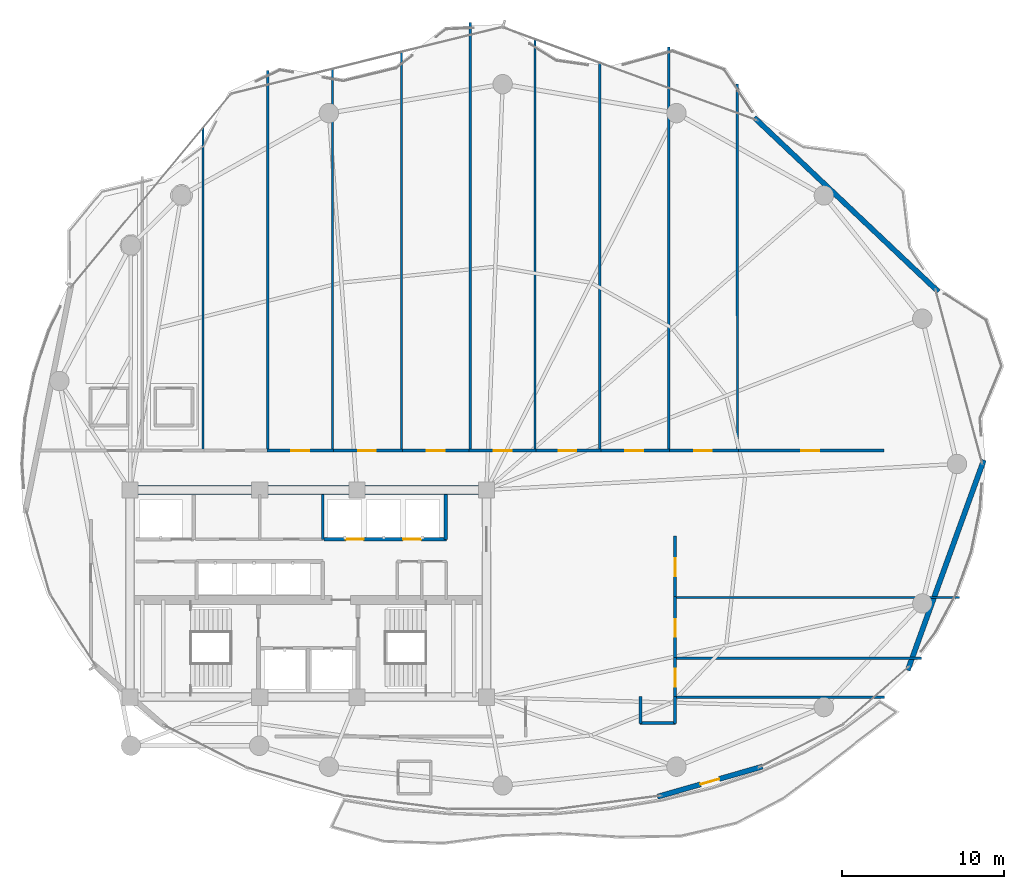
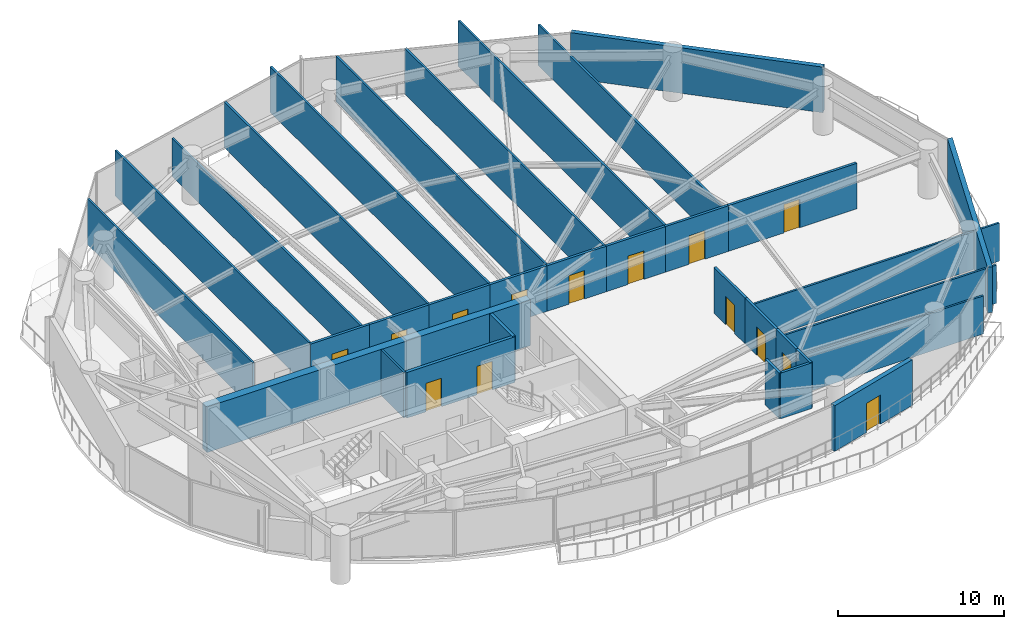
# One storey, part 24 of 28: 33 walls, 14 doors, 14 openings.
"""IFC4 building model written with IfcOpenShell, lengths in metres."""

from ifc_helpers import new_model, si_unit, direction, frame, frame_2d, origin, place, context, subcontext, project, spatial, rectangle, extrude, material, layer, layer_set, type_object, element, fill, save


model = new_model("IFC4")

# Units and contexts
model_context = context("Model", 3, precision=1e-05, world=origin(), true_north=direction((0.0, 1.0)))
body_context = subcontext(model_context, "Body", "Model", "MODEL_VIEW")
ifc_project = project(units=[si_unit("LENGTHUNIT", "METRE"), si_unit("AREAUNIT", "SQUARE_METRE"), si_unit("VOLUMEUNIT", "CUBIC_METRE"), si_unit("PLANEANGLEUNIT", "RADIAN"), si_unit("MASSUNIT", "GRAM", prefix="KILO")], contexts=[model_context])

# Site, building, storey
site_placement = place(None, origin())
site = spatial("IfcSite", under=ifc_project, at=site_placement, CompositionType="ELEMENT")
building_placement = place(site_placement, origin())
building = spatial("IfcBuilding", under=site, at=building_placement, Name="Kazevale Care Tower and Concert Hall", CompositionType="ELEMENT")
storey_placement = place(building_placement, frame((0.0, 0.0, 138.60009765625)))
storey = spatial("IfcBuildingStorey", under=building, at=storey_placement, Name="L36", CompositionType="ELEMENT", Elevation=138.60009765625)

# Walls
ifc_material_1 = material(Name="Acoustic Gypsum on Steel Stud", Category="steel")
ifc_layer_1 = layer(ifc_material_1, 0.139892578125)
ifc_layer_set_1 = layer_set([ifc_layer_1], Name="Acoustic Gypsum on Steel Stud")
wall_type_1 = type_object("IfcWallType", Name="Acoustic Care & Suite Partition 140", PredefinedType="PARTITIONING", material=ifc_layer_set_1)
wall_1_placement = place(storey_placement, frame((33.89990234375, 33.35009765625, 0.0), z_axis=(0.0, 0.0, 1.0), x_axis=(0.0, 1.0, 0.0)))
element("IfcWall", 1, at=wall_1_placement, inside=storey, type_object=wall_type_1, Name="wall:L36:c_rpl_e", PredefinedType="PARTITIONING", context=body_context, shape_type="SweptSolid", body=[
    extrude(rectangle(XDim=2.75, YDim=0.139892578125, at=frame_2d((1.375, 0.0))), origin(), (0.0, 0.0, 1.0), 3.35986328125),
])
wall_2_placement = place(storey_placement, frame((26.5, 58.74169921875, 0.0), z_axis=(0.0, 0.0, 1.0), x_axis=(0.0, -1.0, 0.0)))
element("IfcWall", 2, at=wall_2_placement, inside=storey, type_object=wall_type_1, Name="wall:L36:auto_022", PredefinedType="PARTITIONING", context=body_context, shape_type="SweptSolid", body=[
    extrude(rectangle(XDim=19.94677734375, YDim=0.139892578125, at=frame_2d((9.973388671875, 0.0))), origin(), (0.0, 0.0, 1.0), 3.35986328125),
])
wall_3_placement = place(storey_placement, frame((30.5, 62.300048828125, 0.0), z_axis=(0.0, 0.0, 1.0), x_axis=(0.0, -1.0, 0.0)))
element("IfcWall", 3, at=wall_3_placement, inside=storey, type_object=wall_type_1, Name="wall:L36:auto_023", PredefinedType="PARTITIONING", context=body_context, shape_type="SweptSolid", body=[
    extrude(rectangle(XDim=23.505126953125, YDim=0.139892578125, at=frame_2d((11.75244140625, 0.0))), origin(), (0.0, 0.0, 1.0), 3.35986328125),
])
wall_4_placement = place(storey_placement, frame((34.5, 62.38330078125, 0.0), z_axis=(0.0, 0.0, 1.0), x_axis=(0.0, -1.0, 0.0)))
element("IfcWall", 4, at=wall_4_placement, inside=storey, type_object=wall_type_1, Name="wall:L36:auto_024", PredefinedType="PARTITIONING", context=body_context, shape_type="SweptSolid", body=[
    extrude(rectangle(XDim=23.58837890625, YDim=0.139892578125, at=frame_2d((11.794189453125, 0.0))), origin(), (0.0, 0.0, 1.0), 2.805908203125),
])
wall_5_placement = place(storey_placement, frame((38.75, 63.429931640625, 0.0), z_axis=(0.0, 0.0, 1.0), x_axis=(0.0, -1.0, 0.0)))
element("IfcWall", 5, at=wall_5_placement, inside=storey, type_object=wall_type_1, Name="wall:L36:auto_025", PredefinedType="PARTITIONING", context=body_context, shape_type="SweptSolid", body=[
    extrude(rectangle(XDim=24.635009765625, YDim=0.139892578125, at=frame_2d((12.3173828125, 0.0))), origin(), (0.0, 0.0, 1.0), 3.35986328125),
])
wall_6_placement = place(storey_placement, frame((43.0, 65.25390625, 0.0), z_axis=(0.0, 0.0, 1.0), x_axis=(0.0, -1.0, 0.0)))
element("IfcWall", 6, at=wall_6_placement, inside=storey, type_object=wall_type_1, Name="wall:L36:auto_026", PredefinedType="PARTITIONING", context=body_context, shape_type="SweptSolid", body=[
    extrude(rectangle(XDim=26.458984375, YDim=0.139892578125, at=frame_2d((13.2294921875, 0.0))), origin(), (0.0, 0.0, 1.0), 3.35986328125),
])
wall_7_placement = place(storey_placement, frame((47.0, 64.208740234375, 0.0), z_axis=(0.0, 0.0, 1.0), x_axis=(0.0, -1.0, 0.0)))
element("IfcWall", 7, at=wall_7_placement, inside=storey, type_object=wall_type_1, Name="wall:L36:auto_027", PredefinedType="PARTITIONING", context=body_context, shape_type="SweptSolid", body=[
    extrude(rectangle(XDim=25.413818359375, YDim=0.139892578125, at=frame_2d((12.70703125, 0.0))), origin(), (0.0, 0.0, 1.0), 3.35986328125),
])
wall_8_placement = place(storey_placement, frame((51.0, 62.85693359375, 0.0), z_axis=(0.0, 0.0, 1.0), x_axis=(0.0, -1.0, 0.0)))
element("IfcWall", 8, at=wall_8_placement, inside=storey, type_object=wall_type_1, Name="wall:L36:auto_028", PredefinedType="PARTITIONING", context=body_context, shape_type="SweptSolid", body=[
    extrude(rectangle(XDim=24.06201171875, YDim=0.139892578125, at=frame_2d((12.031005859375, 0.0))), origin(), (0.0, 0.0, 1.0), 3.35986328125),
])
wall_9_placement = place(storey_placement, frame((55.25, 63.7548828125, 0.0), z_axis=(0.0, 0.0, 1.0), x_axis=(0.0, -1.0, 0.0)))
element("IfcWall", 9, at=wall_9_placement, inside=storey, type_object=wall_type_1, Name="wall:L36:auto_029", PredefinedType="PARTITIONING", context=body_context, shape_type="SweptSolid", body=[
    extrude(rectangle(XDim=24.9599609375, YDim=0.139892578125, at=frame_2d((12.47998046875, 0.0))), origin(), (0.0, 0.0, 1.0), 3.35986328125),
])
wall_10_placement = place(storey_placement, frame((59.47998046875, 61.45703125, 0.0), z_axis=(0.0, 0.0, 1.0), x_axis=(0.000883391881, -0.999999609809, 0.0)))
element("IfcWall", 10, at=wall_10_placement, inside=storey, type_object=wall_type_1, Name="wall:L36:auto_030", PredefinedType="PARTITIONING", context=body_context, shape_type="SweptSolid", body=[
    extrude(rectangle(XDim=22.662109375, YDim=0.139892578125, at=frame_2d((11.3310546875, 0.0))), origin(), (0.0, 0.0, 1.0), 2.995849609375),
])
wall_11_placement = place(storey_placement, frame((55.6201171875, 23.590087890625, 0.0), z_axis=(0.0, 0.0, 1.0), x_axis=(1.0, 0.0, 0.0)))
element("IfcWall", 11, at=wall_11_placement, inside=storey, type_object=wall_type_1, Name="wall:L36:auto_031", PredefinedType="PARTITIONING", context=body_context, shape_type="SweptSolid", body=[
    extrude(rectangle(XDim=12.947998046875, YDim=0.139892578125, at=frame_2d((6.47412109375, 0.0))), origin(), (0.0, 0.0, 1.0), 2.805908203125),
])
wall_12_placement = place(storey_placement, frame((55.6201171875, 26.0, 0.0), z_axis=(0.0, 0.0, 1.0), x_axis=(1.0, 0.0, 0.0)))
element("IfcWall", 12, at=wall_12_placement, inside=storey, type_object=wall_type_1, Name="wall:L36:auto_032", PredefinedType="PARTITIONING", context=body_context, shape_type="SweptSolid", body=[
    extrude(rectangle(XDim=15.226806640625, YDim=0.139892578125, at=frame_2d((7.61328125, 0.0))), origin(), (0.0, 0.0, 1.0), 2.805908203125),
])
wall_13_placement = place(storey_placement, frame((55.6201171875, 29.75, 0.0), z_axis=(0.0, 0.0, 1.0), x_axis=(1.0, 0.0, 0.0)))
element("IfcWall", 13, at=wall_13_placement, inside=storey, type_object=wall_type_1, Name="wall:L36:auto_033", PredefinedType="PARTITIONING", context=body_context, shape_type="SweptSolid", body=[
    extrude(rectangle(XDim=17.5869140625, YDim=0.139892578125, at=frame_2d((8.79345703125, 0.0))), origin(), (0.0, 0.0, 1.0), 2.805908203125),
])
ifc_material_2 = material(Name="Concrete C60", Category="concrete")
ifc_layer_2 = layer(ifc_material_2, 0.550048828125)
ifc_layer_set_2 = layer_set([ifc_layer_2], Name="Concrete C60")
wall_type_2 = type_object("IfcWallType", Name="Core Shear Wall 550 C60", PredefinedType="SHEAR", material=ifc_layer_set_2)
wall_14_placement = place(storey_placement, frame((21.72509765625, 36.39990234375, 0.0), z_axis=(0.0, 0.0, 1.0), x_axis=(1.0, 0.0, 0.0)))
element("IfcWall", 14, at=wall_14_placement, inside=storey, type_object=wall_type_2, Name="wall:L36:core:N", PredefinedType="SHEAR", context=body_context, shape_type="SweptSolid", body=[
    extrude(rectangle(XDim=22.5498046875, YDim=0.550048828125, at=frame_2d((11.27490234375, 0.0))), origin(), (0.0, 0.0, 1.0), 3.35986328125),
])

# Wall, openings, doors
ifc_material_3 = material(Name="Concrete C40", Category="concrete")
ifc_layer_3 = layer(ifc_material_3, 0.219970703125)
ifc_layer_set_3 = layer_set([ifc_layer_3], Name="Concrete C40")
wall_type_3 = type_object("IfcWallType", Name="Elevator Hoistway Shaft Wall 220", PredefinedType="SOLIDWALL", material=ifc_layer_set_3)
wall_15_placement = place(storey_placement, frame((33.97998046875, 33.35009765625, 0.0), z_axis=(0.0, 0.0, 1.0), x_axis=(1.0, 0.0, 0.0)))
wall_15 = element("IfcWall", 15, at=wall_15_placement, inside=storey, type_object=wall_type_3, Name="wall:L36:c_pm_s", PredefinedType="SOLIDWALL", context=body_context, shape_type="SweptSolid", body=[
    extrude(rectangle(XDim=7.5400390625, YDim=0.219970703125, at=frame_2d((3.77001953125, 0.0))), origin(), (0.0, 0.0, 1.0), 3.35986328125),
])
opening_1_placement = place(wall_15_placement, frame((1.3349609375, 0.0, 0.0)))
opening_1 = element("IfcOpeningElement", 16, at=opening_1_placement, cuts=wall_15, Name="Opening LD-PAX", PredefinedType="OPENING", context=body_context, shape_type="SweptSolid", body=[
    extrude(rectangle(XDim=1.10009765625, YDim=2.10009765625, at=frame_2d((0.550048828125, 1.050048828125))), frame((0.0, 0.119873046875, 0.0), z_axis=(0.0, -1.0, 0.0), x_axis=(1.0, 0.0, 0.0)), (0.0, 0.0, 1.0), 0.239990234375),
])
opening_2_placement = place(wall_15_placement, frame((4.87890625, 0.0, 0.0)))
opening_2 = element("IfcOpeningElement", 17, at=opening_2_placement, cuts=wall_15, Name="Opening LD-PAX", PredefinedType="OPENING", context=body_context, shape_type="SweptSolid", body=[
    extrude(rectangle(XDim=1.10009765625, YDim=2.10009765625, at=frame_2d((0.550048828125, 1.050048828125))), frame((0.0, 0.119873046875, 0.0), z_axis=(0.0, -1.0, 0.0), x_axis=(1.0, 0.0, 0.0)), (0.0, 0.0, 1.0), 0.239990234375),
])
ifc_material_4 = material(Name="Stainless Steel 316", Category="steel")
door_type_1 = type_object("IfcDoorType", Name="Passenger Lift Sliding Landing Door 1100x2100", OperationType="NOTDEFINED", PredefinedType="DOOR", material=ifc_material_4)
door_1_placement = place(opening_1_placement, origin())
door_1 = element("IfcDoor", 18, at=door_1_placement, inside=storey, type_object=door_type_1, Name="door:L36:ld_pm1", OperationType="SLIDING_TO_LEFT", OverallHeight=2.10009765625, OverallWidth=1.10009765625, PredefinedType="DOOR", context=body_context, shape_type="SweptSolid", body=[
    extrude(rectangle(XDim=1.10009765625, YDim=2.10009765625, at=frame_2d((0.550048828125, 1.050048828125))), frame((0.0, 0.02490234375, 0.0), z_axis=(0.0, -1.0, 0.0), x_axis=(1.0, 0.0, 0.0)), (0.0, 0.0, 1.0), 0.050048828125),
])
fill(opening_1, door_1)
door_2_placement = place(opening_2_placement, origin())
door_2 = element("IfcDoor", 19, at=door_2_placement, inside=storey, type_object=door_type_1, Name="door:L36:ld_pm2", OperationType="SLIDING_TO_RIGHT", OverallHeight=2.10009765625, OverallWidth=1.10009765625, PredefinedType="DOOR", context=body_context, shape_type="SweptSolid", body=[
    extrude(rectangle(XDim=1.10009765625, YDim=2.10009765625, at=frame_2d((0.550048828125, 1.050048828125))), frame((0.0, 0.02490234375, 0.0), z_axis=(0.0, -1.0, 0.0), x_axis=(1.0, 0.0, 0.0)), (0.0, 0.0, 1.0), 0.050048828125),
])
fill(opening_2, door_2)

# Wall
wall_16_placement = place(storey_placement, frame((41.5, 33.35009765625, 0.0), z_axis=(0.0, 0.0, 1.0), x_axis=(0.0, 1.0, 0.0)))
element("IfcWall", 20, at=wall_16_placement, inside=storey, type_object=wall_type_3, Name="wall:L36:c_pm_e", PredefinedType="SOLIDWALL", context=body_context, shape_type="SweptSolid", body=[
    extrude(rectangle(XDim=2.75, YDim=0.219970703125, at=frame_2d((1.375, 0.0))), origin(), (0.0, 0.0, 1.0), 3.35986328125),
])

# Wall, opening, door
ifc_material_5 = material(Name="Concrete C40 and Acoustic Gypsum", Category="concrete")
ifc_layer_4 = layer(ifc_material_5, 0.179931640625)
ifc_layer_set_4 = layer_set([ifc_layer_4], Name="Concrete C40 and Acoustic Gypsum")
wall_type_4 = type_object("IfcWallType", Name="Fire-Rated Corridor & Party Wall 180", PredefinedType="PARTITIONING", material=ifc_layer_set_4)
wall_17_placement = place(storey_placement, frame((30.43505859375, 38.824951171875, 0.0), z_axis=(0.0, 0.0, 1.0), x_axis=(1.0, 0.0, 0.0)))
wall_17 = element("IfcWall", 21, at=wall_17_placement, inside=storey, type_object=wall_type_4, Name="wall:L36:auto_004", PredefinedType="PARTITIONING", context=body_context, shape_type="SweptSolid", body=[
    extrude(rectangle(XDim=4.1298828125, YDim=0.179931640625, at=frame_2d((2.06494140625, 0.0))), origin(), (0.0, 0.0, 1.0), 3.35986328125),
])
opening_3_placement = place(wall_17_placement, frame((1.514892578125, 0.0, 0.0)))
opening_3 = element("IfcOpeningElement", 22, at=opening_3_placement, cuts=wall_17, Name="Opening ID-1100", PredefinedType="OPENING", context=body_context, shape_type="SweptSolid", body=[
    extrude(rectangle(XDim=1.10009765625, YDim=2.10009765625, at=frame_2d((0.550048828125, 1.050048828125))), frame((0.0, 0.099853515625, 0.0), z_axis=(0.0, -1.0, 0.0), x_axis=(1.0, 0.0, 0.0)), (0.0, 0.0, 1.0), 0.199951171875),
])
ifc_material_6 = material(Name="Oak Timber Fire Leaf", Category="wood")
door_type_2 = type_object("IfcDoorType", Name="Care Bedroom Accessible Door 1100x2100", OperationType="NOTDEFINED", PredefinedType="DOOR", material=ifc_material_6)
door_3_placement = place(opening_3_placement, origin())
door_3 = element("IfcDoor", 23, at=door_3_placement, inside=storey, type_object=door_type_2, Name="door:L36:ad_004", OperationType="SINGLE_SWING_LEFT", OverallHeight=2.10009765625, OverallWidth=1.10009765625, PredefinedType="DOOR", context=body_context, shape_type="SweptSolid", body=[
    extrude(rectangle(XDim=1.10009765625, YDim=2.10009765625, at=frame_2d((0.550048828125, 1.050048828125))), frame((0.0, 0.02490234375, 0.0), z_axis=(0.0, -1.0, 0.0), x_axis=(1.0, 0.0, 0.0)), (0.0, 0.0, 1.0), 0.050048828125),
])
fill(opening_3, door_3)

wall_18_placement = place(storey_placement, frame((34.43505859375, 38.824951171875, 0.0), z_axis=(0.0, 0.0, 1.0), x_axis=(1.0, 0.0, 0.0)))
wall_18 = element("IfcWall", 24, at=wall_18_placement, inside=storey, type_object=wall_type_4, Name="wall:L36:auto_005", PredefinedType="PARTITIONING", context=body_context, shape_type="SweptSolid", body=[
    extrude(rectangle(XDim=4.3798828125, YDim=0.179931640625, at=frame_2d((2.18994140625, 0.0))), origin(), (0.0, 0.0, 1.0), 3.35986328125),
])
opening_4_placement = place(wall_18_placement, frame((1.639892578125, 0.0, 0.0)))
opening_4 = element("IfcOpeningElement", 25, at=opening_4_placement, cuts=wall_18, Name="Opening ID-1100", PredefinedType="OPENING", context=body_context, shape_type="SweptSolid", body=[
    extrude(rectangle(XDim=1.10009765625, YDim=2.10009765625, at=frame_2d((0.550048828125, 1.050048828125))), frame((0.0, 0.099853515625, 0.0), z_axis=(0.0, -1.0, 0.0), x_axis=(1.0, 0.0, 0.0)), (0.0, 0.0, 1.0), 0.199951171875),
])
door_4_placement = place(opening_4_placement, origin())
door_4 = element("IfcDoor", 26, at=door_4_placement, inside=storey, type_object=door_type_2, Name="door:L36:ad_005", OperationType="SINGLE_SWING_LEFT", OverallHeight=2.10009765625, OverallWidth=1.10009765625, PredefinedType="DOOR", context=body_context, shape_type="SweptSolid", body=[
    extrude(rectangle(XDim=1.10009765625, YDim=2.10009765625, at=frame_2d((0.550048828125, 1.050048828125))), frame((0.0, 0.02490234375, 0.0), z_axis=(0.0, -1.0, 0.0), x_axis=(1.0, 0.0, 0.0)), (0.0, 0.0, 1.0), 0.050048828125),
])
fill(opening_4, door_4)

wall_19_placement = place(storey_placement, frame((38.68505859375, 38.824951171875, 0.0), z_axis=(0.0, 0.0, 1.0), x_axis=(1.0, 0.0, 0.0)))
wall_19 = element("IfcWall", 27, at=wall_19_placement, inside=storey, type_object=wall_type_4, Name="wall:L36:auto_006", PredefinedType="PARTITIONING", context=body_context, shape_type="SweptSolid", body=[
    extrude(rectangle(XDim=4.3798828125, YDim=0.179931640625, at=frame_2d((2.18994140625, 0.0))), origin(), (0.0, 0.0, 1.0), 3.35986328125),
])
opening_5_placement = place(wall_19_placement, frame((1.639892578125, 0.0, 0.0)))
opening_5 = element("IfcOpeningElement", 28, at=opening_5_placement, cuts=wall_19, Name="Opening ID-1100", PredefinedType="OPENING", context=body_context, shape_type="SweptSolid", body=[
    extrude(rectangle(XDim=1.10009765625, YDim=2.10009765625, at=frame_2d((0.550048828125, 1.050048828125))), frame((0.0, 0.099853515625, 0.0), z_axis=(0.0, -1.0, 0.0), x_axis=(1.0, 0.0, 0.0)), (0.0, 0.0, 1.0), 0.199951171875),
])
door_5_placement = place(opening_5_placement, origin())
door_5 = element("IfcDoor", 29, at=door_5_placement, inside=storey, type_object=door_type_2, Name="door:L36:ad_006", OperationType="SINGLE_SWING_LEFT", OverallHeight=2.10009765625, OverallWidth=1.10009765625, PredefinedType="DOOR", context=body_context, shape_type="SweptSolid", body=[
    extrude(rectangle(XDim=1.10009765625, YDim=2.10009765625, at=frame_2d((0.550048828125, 1.050048828125))), frame((0.0, 0.02490234375, 0.0), z_axis=(0.0, -1.0, 0.0), x_axis=(1.0, 0.0, 0.0)), (0.0, 0.0, 1.0), 0.050048828125),
])
fill(opening_5, door_5)

wall_20_placement = place(storey_placement, frame((42.93505859375, 38.824951171875, 0.0), z_axis=(0.0, 0.0, 1.0), x_axis=(1.0, 0.0, 0.0)))
wall_20 = element("IfcWall", 30, at=wall_20_placement, inside=storey, type_object=wall_type_4, Name="wall:L36:auto_007", PredefinedType="PARTITIONING", context=body_context, shape_type="SweptSolid", body=[
    extrude(rectangle(XDim=4.1298828125, YDim=0.179931640625, at=frame_2d((2.06494140625, 0.0))), origin(), (0.0, 0.0, 1.0), 3.35986328125),
])
opening_6_placement = place(wall_20_placement, frame((1.514892578125, 0.0, 0.0)))
opening_6 = element("IfcOpeningElement", 31, at=opening_6_placement, cuts=wall_20, Name="Opening ID-1100", PredefinedType="OPENING", context=body_context, shape_type="SweptSolid", body=[
    extrude(rectangle(XDim=1.10009765625, YDim=2.10009765625, at=frame_2d((0.550048828125, 1.050048828125))), frame((0.0, 0.099853515625, 0.0), z_axis=(0.0, -1.0, 0.0), x_axis=(1.0, 0.0, 0.0)), (0.0, 0.0, 1.0), 0.199951171875),
])
door_6_placement = place(opening_6_placement, origin())
door_6 = element("IfcDoor", 32, at=door_6_placement, inside=storey, type_object=door_type_2, Name="door:L36:ad_007", OperationType="SINGLE_SWING_LEFT", OverallHeight=2.10009765625, OverallWidth=1.10009765625, PredefinedType="DOOR", context=body_context, shape_type="SweptSolid", body=[
    extrude(rectangle(XDim=1.10009765625, YDim=2.10009765625, at=frame_2d((0.550048828125, 1.050048828125))), frame((0.0, 0.02490234375, 0.0), z_axis=(0.0, -1.0, 0.0), x_axis=(1.0, 0.0, 0.0)), (0.0, 0.0, 1.0), 0.050048828125),
])
fill(opening_6, door_6)

wall_21_placement = place(storey_placement, frame((46.93505859375, 38.824951171875, 0.0), z_axis=(0.0, 0.0, 1.0), x_axis=(1.0, 0.0, 0.0)))
wall_21 = element("IfcWall", 33, at=wall_21_placement, inside=storey, type_object=wall_type_4, Name="wall:L36:auto_008", PredefinedType="PARTITIONING", context=body_context, shape_type="SweptSolid", body=[
    extrude(rectangle(XDim=4.1298828125, YDim=0.179931640625, at=frame_2d((2.06494140625, 0.0))), origin(), (0.0, 0.0, 1.0), 3.35986328125),
])
opening_7_placement = place(wall_21_placement, frame((1.514892578125, 0.0, 0.0)))
opening_7 = element("IfcOpeningElement", 34, at=opening_7_placement, cuts=wall_21, Name="Opening ID-1100", PredefinedType="OPENING", context=body_context, shape_type="SweptSolid", body=[
    extrude(rectangle(XDim=1.10009765625, YDim=2.10009765625, at=frame_2d((0.550048828125, 1.050048828125))), frame((0.0, 0.099853515625, 0.0), z_axis=(0.0, -1.0, 0.0), x_axis=(1.0, 0.0, 0.0)), (0.0, 0.0, 1.0), 0.199951171875),
])
door_7_placement = place(opening_7_placement, origin())
door_7 = element("IfcDoor", 35, at=door_7_placement, inside=storey, type_object=door_type_2, Name="door:L36:ad_008", OperationType="SINGLE_SWING_LEFT", OverallHeight=2.10009765625, OverallWidth=1.10009765625, PredefinedType="DOOR", context=body_context, shape_type="SweptSolid", body=[
    extrude(rectangle(XDim=1.10009765625, YDim=2.10009765625, at=frame_2d((0.550048828125, 1.050048828125))), frame((0.0, 0.02490234375, 0.0), z_axis=(0.0, -1.0, 0.0), x_axis=(1.0, 0.0, 0.0)), (0.0, 0.0, 1.0), 0.050048828125),
])
fill(opening_7, door_7)

wall_22_placement = place(storey_placement, frame((50.93505859375, 38.824951171875, 0.0), z_axis=(0.0, 0.0, 1.0), x_axis=(1.0, 0.0, 0.0)))
wall_22 = element("IfcWall", 36, at=wall_22_placement, inside=storey, type_object=wall_type_4, Name="wall:L36:auto_009", PredefinedType="PARTITIONING", context=body_context, shape_type="SweptSolid", body=[
    extrude(rectangle(XDim=4.3798828125, YDim=0.179931640625, at=frame_2d((2.18994140625, 0.0))), origin(), (0.0, 0.0, 1.0), 3.35986328125),
])
opening_8_placement = place(wall_22_placement, frame((1.639892578125, 0.0, 0.0)))
opening_8 = element("IfcOpeningElement", 37, at=opening_8_placement, cuts=wall_22, Name="Opening ID-1100", PredefinedType="OPENING", context=body_context, shape_type="SweptSolid", body=[
    extrude(rectangle(XDim=1.10009765625, YDim=2.10009765625, at=frame_2d((0.550048828125, 1.050048828125))), frame((0.0, 0.099853515625, 0.0), z_axis=(0.0, -1.0, 0.0), x_axis=(1.0, 0.0, 0.0)), (0.0, 0.0, 1.0), 0.199951171875),
])
door_8_placement = place(opening_8_placement, origin())
door_8 = element("IfcDoor", 38, at=door_8_placement, inside=storey, type_object=door_type_2, Name="door:L36:ad_009", OperationType="SINGLE_SWING_LEFT", OverallHeight=2.10009765625, OverallWidth=1.10009765625, PredefinedType="DOOR", context=body_context, shape_type="SweptSolid", body=[
    extrude(rectangle(XDim=1.10009765625, YDim=2.10009765625, at=frame_2d((0.550048828125, 1.050048828125))), frame((0.0, 0.02490234375, 0.0), z_axis=(0.0, -1.0, 0.0), x_axis=(1.0, 0.0, 0.0)), (0.0, 0.0, 1.0), 0.050048828125),
])
fill(opening_8, door_8)

wall_23_placement = place(storey_placement, frame((55.18505859375, 38.824951171875, 0.0), z_axis=(0.0, 0.0, 1.0), x_axis=(1.0, 0.0, 0.0)))
wall_23 = element("IfcWall", 39, at=wall_23_placement, inside=storey, type_object=wall_type_4, Name="wall:L36:auto_010", PredefinedType="PARTITIONING", context=body_context, shape_type="SweptSolid", body=[
    extrude(rectangle(XDim=4.3798828125, YDim=0.179931640625, at=frame_2d((2.18994140625, 0.0))), origin(), (0.0, 0.0, 1.0), 3.35986328125),
])
opening_9_placement = place(wall_23_placement, frame((1.639892578125, 0.0, 0.0)))
opening_9 = element("IfcOpeningElement", 40, at=opening_9_placement, cuts=wall_23, Name="Opening ID-1100", PredefinedType="OPENING", context=body_context, shape_type="SweptSolid", body=[
    extrude(rectangle(XDim=1.10009765625, YDim=2.10009765625, at=frame_2d((0.550048828125, 1.050048828125))), frame((0.0, 0.099853515625, 0.0), z_axis=(0.0, -1.0, 0.0), x_axis=(1.0, 0.0, 0.0)), (0.0, 0.0, 1.0), 0.199951171875),
])
door_9_placement = place(opening_9_placement, origin())
door_9 = element("IfcDoor", 41, at=door_9_placement, inside=storey, type_object=door_type_2, Name="door:L36:ad_010", OperationType="SINGLE_SWING_LEFT", OverallHeight=2.10009765625, OverallWidth=1.10009765625, PredefinedType="DOOR", context=body_context, shape_type="SweptSolid", body=[
    extrude(rectangle(XDim=1.10009765625, YDim=2.10009765625, at=frame_2d((0.550048828125, 1.050048828125))), frame((0.0, 0.02490234375, 0.0), z_axis=(0.0, -1.0, 0.0), x_axis=(1.0, 0.0, 0.0)), (0.0, 0.0, 1.0), 0.050048828125),
])
fill(opening_9, door_9)

wall_24_placement = place(storey_placement, frame((59.43505859375, 38.824951171875, 0.0), z_axis=(0.0, 0.0, 1.0), x_axis=(1.0, 0.0, 0.0)))
wall_24 = element("IfcWall", 42, at=wall_24_placement, inside=storey, type_object=wall_type_4, Name="wall:L36:auto_011", PredefinedType="PARTITIONING", context=body_context, shape_type="SweptSolid", body=[
    extrude(rectangle(XDim=9.094970703125, YDim=0.179931640625, at=frame_2d((4.54736328125, 0.0))), origin(), (0.0, 0.0, 1.0), 3.35986328125),
])
opening_10_placement = place(wall_24_placement, frame((3.998046875, 0.0, 0.0)))
opening_10 = element("IfcOpeningElement", 43, at=opening_10_placement, cuts=wall_24, Name="Opening ID-1100", PredefinedType="OPENING", context=body_context, shape_type="SweptSolid", body=[
    extrude(rectangle(XDim=1.10009765625, YDim=2.10009765625, at=frame_2d((0.550048828125, 1.050048828125))), frame((0.0, 0.099853515625, 0.0), z_axis=(0.0, -1.0, 0.0), x_axis=(1.0, 0.0, 0.0)), (0.0, 0.0, 1.0), 0.199951171875),
])
door_10_placement = place(opening_10_placement, origin())
door_10 = element("IfcDoor", 44, at=door_10_placement, inside=storey, type_object=door_type_2, Name="door:L36:ad_011", OperationType="SINGLE_SWING_LEFT", OverallHeight=2.10009765625, OverallWidth=1.10009765625, PredefinedType="DOOR", context=body_context, shape_type="SweptSolid", body=[
    extrude(rectangle(XDim=1.10009765625, YDim=2.10009765625, at=frame_2d((0.550048828125, 1.050048828125))), frame((0.0, 0.02490234375, 0.0), z_axis=(0.0, -1.0, 0.0), x_axis=(1.0, 0.0, 0.0)), (0.0, 0.0, 1.0), 0.050048828125),
])
fill(opening_10, door_10)

# Walls
wall_25_placement = place(storey_placement, frame((55.679931640625, 22.0, 0.0), z_axis=(0.0, 0.0, 1.0), x_axis=(-1.0, 0.0, 0.0)))
element("IfcWall", 45, at=wall_25_placement, inside=storey, type_object=wall_type_4, Name="wall:L36:auto_013", PredefinedType="PARTITIONING", context=body_context, shape_type="SweptSolid", body=[
    extrude(rectangle(XDim=2.2099609375, YDim=0.179931640625, at=frame_2d((1.10498046875, 0.0))), origin(), (0.0, 0.0, 1.0), 3.35986328125),
])
for number, where, z_axis, x_axis, name in (
    (46, (55.64990234375, 23.655029296875, 0.0), (0.0, 0.0, 1.0), (0.0, -1.0, 0.0), "wall:L36:auto_014"),
    (47, (53.5, 21.969970703125, 0.0), (0.0, 0.0, 1.0), (0.0, 1.0, 0.0), "wall:L36:auto_015"),
):
    element("IfcWall", number, at=place(storey_placement, frame(where, z_axis=z_axis, x_axis=x_axis)), inside=storey, type_object=wall_type_4, Name=name, PredefinedType="PARTITIONING", context=body_context, shape_type="SweptSolid", body=[
        extrude(rectangle(XDim=1.68505859375, YDim=0.179931640625, at=frame_2d((0.842529296875, 0.0))), origin(), (0.0, 0.0, 1.0), 3.35986328125),
    ])

# Wall, opening, door
wall_26_placement = place(storey_placement, frame((55.64990234375, 26.06494140625, 0.0), z_axis=(0.0, 0.0, 1.0), x_axis=(0.0, -1.0, 0.0)))
wall_26 = element("IfcWall", 48, at=wall_26_placement, inside=storey, type_object=wall_type_4, Name="wall:L36:auto_016", PredefinedType="PARTITIONING", context=body_context, shape_type="SweptSolid", body=[
    extrude(rectangle(XDim=2.5400390625, YDim=0.179931640625, at=frame_2d((1.27001953125, 0.0))), origin(), (0.0, 0.0, 1.0), 3.35986328125),
])
opening_11_placement = place(wall_26_placement, frame((0.719970703125, 0.0, 0.0)))
opening_11 = element("IfcOpeningElement", 49, at=opening_11_placement, cuts=wall_26, Name="Opening ID-1100", PredefinedType="OPENING", context=body_context, shape_type="SweptSolid", body=[
    extrude(rectangle(XDim=1.10009765625, YDim=2.10009765625, at=frame_2d((0.550048828125, 1.050048828125))), frame((0.0, 0.099853515625, 0.0), z_axis=(0.0, -1.0, 0.0), x_axis=(1.0, 0.0, 0.0)), (0.0, 0.0, 1.0), 0.199951171875),
])
door_11_placement = place(opening_11_placement, origin())
door_11 = element("IfcDoor", 50, at=door_11_placement, inside=storey, type_object=door_type_2, Name="door:L36:ad_016", OperationType="SINGLE_SWING_LEFT", OverallHeight=2.10009765625, OverallWidth=1.10009765625, PredefinedType="DOOR", context=body_context, shape_type="SweptSolid", body=[
    extrude(rectangle(XDim=1.10009765625, YDim=2.10009765625, at=frame_2d((0.550048828125, 1.050048828125))), frame((0.0, 0.02490234375, 0.0), z_axis=(0.0, -1.0, 0.0), x_axis=(1.0, 0.0, 0.0)), (0.0, 0.0, 1.0), 0.050048828125),
])
fill(opening_11, door_11)

wall_27_placement = place(storey_placement, frame((55.64990234375, 29.81494140625, 0.0), z_axis=(0.0, 0.0, 1.0), x_axis=(0.0, -1.0, 0.0)))
wall_27 = element("IfcWall", 51, at=wall_27_placement, inside=storey, type_object=wall_type_4, Name="wall:L36:auto_017", PredefinedType="PARTITIONING", context=body_context, shape_type="SweptSolid", body=[
    extrude(rectangle(XDim=3.8798828125, YDim=0.179931640625, at=frame_2d((1.93994140625, 0.0))), origin(), (0.0, 0.0, 1.0), 3.35986328125),
])
opening_12_placement = place(wall_27_placement, frame((1.389892578125, 0.0, 0.0)))
opening_12 = element("IfcOpeningElement", 52, at=opening_12_placement, cuts=wall_27, Name="Opening ID-1100", PredefinedType="OPENING", context=body_context, shape_type="SweptSolid", body=[
    extrude(rectangle(XDim=1.10009765625, YDim=2.10009765625, at=frame_2d((0.550048828125, 1.050048828125))), frame((0.0, 0.099853515625, 0.0), z_axis=(0.0, -1.0, 0.0), x_axis=(1.0, 0.0, 0.0)), (0.0, 0.0, 1.0), 0.199951171875),
])
door_12_placement = place(opening_12_placement, origin())
door_12 = element("IfcDoor", 53, at=door_12_placement, inside=storey, type_object=door_type_2, Name="door:L36:ad_017", OperationType="SINGLE_SWING_LEFT", OverallHeight=2.10009765625, OverallWidth=1.10009765625, PredefinedType="DOOR", context=body_context, shape_type="SweptSolid", body=[
    extrude(rectangle(XDim=1.10009765625, YDim=2.10009765625, at=frame_2d((0.550048828125, 1.050048828125))), frame((0.0, 0.02490234375, 0.0), z_axis=(0.0, -1.0, 0.0), x_axis=(1.0, 0.0, 0.0)), (0.0, 0.0, 1.0), 0.050048828125),
])
fill(opening_12, door_12)

wall_28_placement = place(storey_placement, frame((55.64990234375, 33.56494140625, 0.0), z_axis=(0.0, 0.0, 1.0), x_axis=(0.0, -1.0, 0.0)))
wall_28 = element("IfcWall", 54, at=wall_28_placement, inside=storey, type_object=wall_type_4, Name="wall:L36:auto_018", PredefinedType="PARTITIONING", context=body_context, shape_type="SweptSolid", body=[
    extrude(rectangle(XDim=3.8798828125, YDim=0.179931640625, at=frame_2d((1.93994140625, 0.0))), origin(), (0.0, 0.0, 1.0), 3.35986328125),
])
opening_13_placement = place(wall_28_placement, frame((1.389892578125, 0.0, 0.0)))
opening_13 = element("IfcOpeningElement", 55, at=opening_13_placement, cuts=wall_28, Name="Opening ID-1100", PredefinedType="OPENING", context=body_context, shape_type="SweptSolid", body=[
    extrude(rectangle(XDim=1.10009765625, YDim=2.10009765625, at=frame_2d((0.550048828125, 1.050048828125))), frame((0.0, 0.099853515625, 0.0), z_axis=(0.0, -1.0, 0.0), x_axis=(1.0, 0.0, 0.0)), (0.0, 0.0, 1.0), 0.199951171875),
])
door_13_placement = place(opening_13_placement, origin())
door_13 = element("IfcDoor", 56, at=door_13_placement, inside=storey, type_object=door_type_2, Name="door:L36:ad_018", OperationType="SINGLE_SWING_LEFT", OverallHeight=2.10009765625, OverallWidth=1.10009765625, PredefinedType="DOOR", context=body_context, shape_type="SweptSolid", body=[
    extrude(rectangle(XDim=1.10009765625, YDim=2.10009765625, at=frame_2d((0.550048828125, 1.050048828125))), frame((0.0, 0.02490234375, 0.0), z_axis=(0.0, -1.0, 0.0), x_axis=(1.0, 0.0, 0.0)), (0.0, 0.0, 1.0), 0.050048828125),
])
fill(opening_13, door_13)

# Wall
ifc_material_7 = material(Name="Concrete C40 with Honed Limestone Cladding", Category="masonry")
ifc_layer_5 = layer(ifc_material_7, 0.320068359375)
ifc_layer_set_5 = layer_set([ifc_layer_5], Name="Concrete C40 with Honed Limestone Cladding")
wall_type_5 = type_object("IfcWallType", Name="Tower Honed Limestone Spandrel Wall 320", PredefinedType="STANDARD", material=ifc_layer_set_5)
wall_29_placement = place(storey_placement, frame((74.7080078125, 38.243896484375, 0.0), z_axis=(0.0, 0.0, 1.0), x_axis=(-0.340324669139, -0.94030799187, 0.0)))
element("IfcWall", 57, at=wall_29_placement, inside=storey, type_object=wall_type_5, Name="wall:cw:L36:f01", PredefinedType="STANDARD", context=body_context, shape_type="SweptSolid", body=[
    extrude(rectangle(XDim=13.810302734375, YDim=0.320068359375, at=frame_2d((6.9052734375, 0.0))), origin(), (0.0, 0.0, 1.0), 3.35986328125),
])

# Wall, opening, door
wall_30_placement = place(storey_placement, frame((61.0390625, 19.31689453125, 0.0), z_axis=(0.0, 0.0, 1.0), x_axis=(-0.96106509915, -0.276322049784, 0.0)))
wall_30 = element("IfcWall", 58, at=wall_30_placement, inside=storey, type_object=wall_type_5, Name="wall:L36:bal_host", PredefinedType="STANDARD", context=body_context, shape_type="SweptSolid", body=[
    extrude(rectangle(XDim=6.745849609375, YDim=0.320068359375, at=frame_2d((3.373046875, 0.0))), origin(), (0.0, 0.0, 1.0), 3.35986328125),
])
opening_14_placement = place(wall_30_placement, frame((2.77294921875, 0.0, 0.0)))
opening_14 = element("IfcOpeningElement", 59, at=opening_14_placement, cuts=wall_30, Name="Opening BD-1200", PredefinedType="OPENING", context=body_context, shape_type="SweptSolid", body=[
    extrude(rectangle(XDim=1.199951171875, YDim=2.14990234375, at=frame_2d((0.60009765625, 1.074951171875))), frame((0.0, 0.169921875, 0.0), z_axis=(0.0, -1.0, 0.0), x_axis=(1.0, 0.0, 0.0)), (0.0, 0.0, 1.0), 0.340087890625),
])
ifc_material_8 = material(Name="Aluminium 6063-T6 and Low-E Glass", Category="aluminium")
door_type_3 = type_object("IfcDoorType", Name="Sheltered Balcony Glazed Door 1200x2150", OperationType="NOTDEFINED", PredefinedType="DOOR", material=ifc_material_8)
door_14_placement = place(opening_14_placement, origin())
door_14 = element("IfcDoor", 60, at=door_14_placement, inside=storey, type_object=door_type_3, Name="door:L36:BD-1", OperationType="SINGLE_SWING_LEFT", OverallHeight=2.14990234375, OverallWidth=1.199951171875, PredefinedType="DOOR", context=body_context, shape_type="SweptSolid", body=[
    extrude(rectangle(XDim=1.199951171875, YDim=2.14990234375, at=frame_2d((0.60009765625, 1.074951171875))), frame((0.0, 0.02490234375, 0.0), z_axis=(0.0, -1.0, 0.0), x_axis=(1.0, 0.0, 0.0)), (0.0, 0.0, 1.0), 0.050048828125),
])
fill(opening_14, door_14)

# Wall
wall_31_placement = place(storey_placement, frame((60.5380859375, 59.383056640625, 0.0), z_axis=(0.0, 0.0, 1.0), x_axis=(0.726378346584, -0.687295058628, 0.0)))
element("IfcWall", 61, at=wall_31_placement, inside=storey, type_object=wall_type_5, Name="wall:cw:L36:f17", PredefinedType="STANDARD", context=body_context, shape_type="SweptSolid", body=[
    extrude(rectangle(XDim=15.654052734375, YDim=0.320068359375, at=frame_2d((7.8271484375, 0.0))), origin(), (0.0, 0.0, 1.0), 3.35986328125),
])

save(model, "model.ifc")
